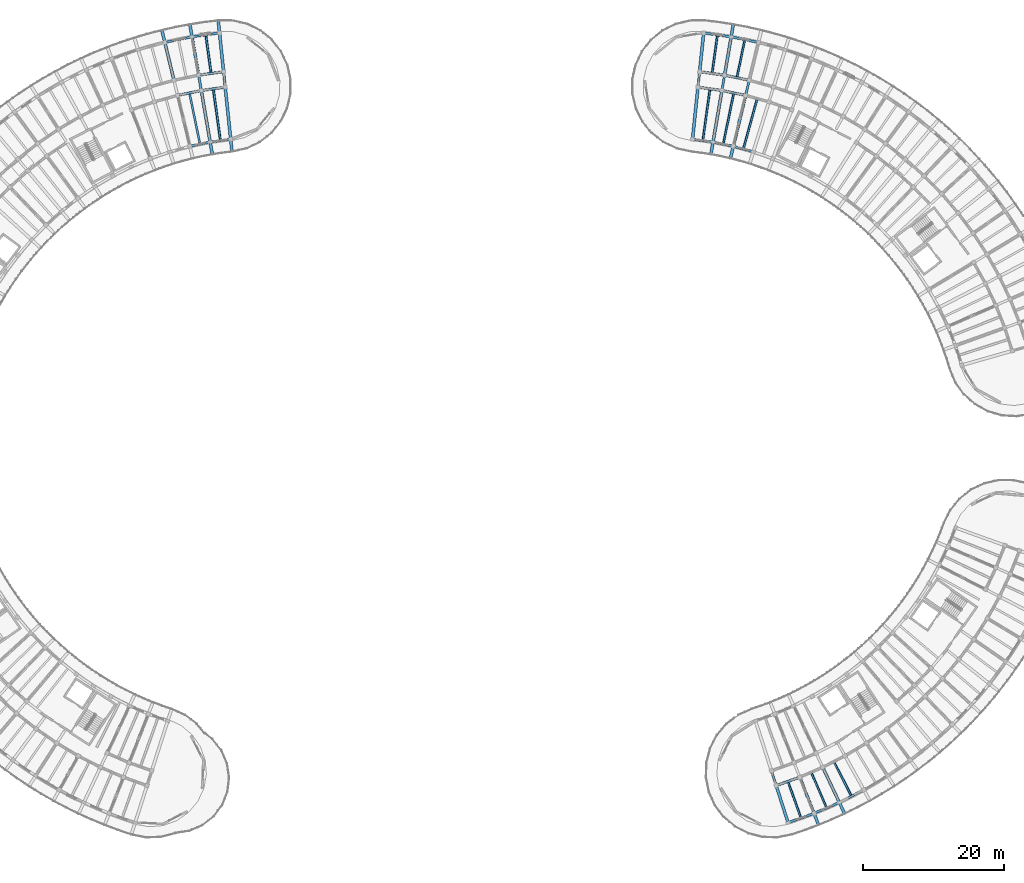
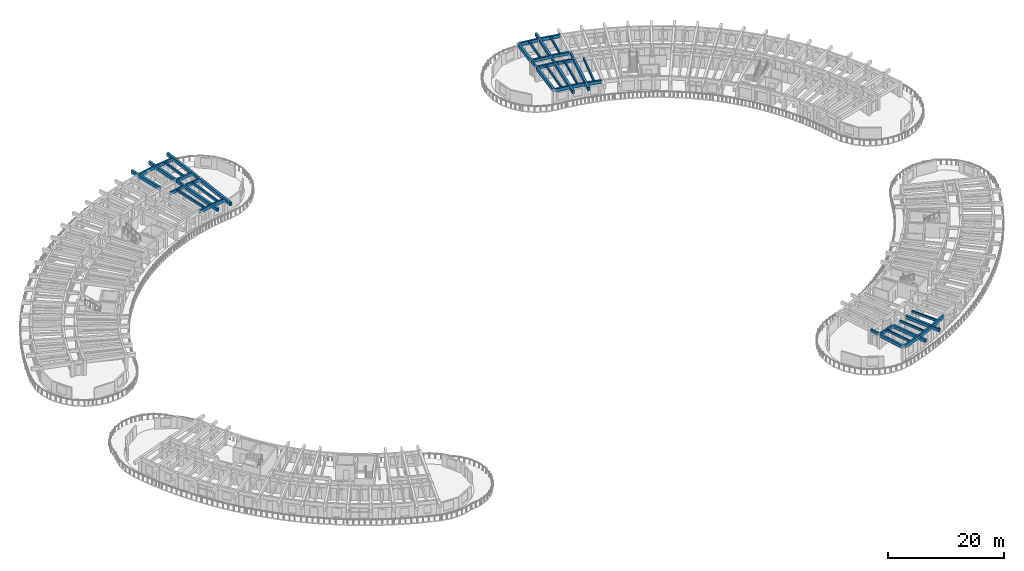
# One storey, part 15 of 78: 50 beams.
"""IFC4 building model written with IfcOpenShell, lengths in metres."""

from ifc_helpers import new_model, si_unit, direction, frame, origin, origin_2d, place, context, subcontext, project, spatial, rectangle, extrude, material, material_profile, profile_set, type_object, element, save


model = new_model("IFC4")

# Units and contexts
model_context = context("Model", 3, precision=1e-05, world=origin(), true_north=direction((0.0, 1.0)))
body_context = subcontext(model_context, "Body", "Model", "MODEL_VIEW")
ifc_project = project(units=[si_unit("LENGTHUNIT", "METRE"), si_unit("AREAUNIT", "SQUARE_METRE"), si_unit("VOLUMEUNIT", "CUBIC_METRE"), si_unit("PLANEANGLEUNIT", "RADIAN"), si_unit("MASSUNIT", "GRAM", prefix="KILO")], contexts=[model_context])

# Site, building, storey
site_placement = place(None, origin())
site = spatial("IfcSite", under=ifc_project, at=site_placement, CompositionType="ELEMENT")
building_placement = place(site_placement, origin())
building = spatial("IfcBuilding", under=site, at=building_placement, Name="Tanwirah Colonnade Gardens", CompositionType="ELEMENT")
storey_placement = place(building_placement, frame((0.0, 0.0, 22.280029296875)))
storey = spatial("IfcBuildingStorey", under=building, at=storey_placement, Name="L06", CompositionType="ELEMENT", Elevation=22.280029296875)

# Beams
ifc_material_1 = material(Name="Precast concrete C40/50", Category="concrete")
ifc_material_profile_1 = material_profile(ifc_material_1, rectangle(XDim=0.360107421875, YDim=0.610107421875, at=origin_2d()), Name="PC-BM 360x610")
ifc_profile_set_1 = profile_set([ifc_material_profile_1], Name="Precast concrete C40/50")
beam_type_1 = type_object("IfcBeamType", Name="BM-PC300", PredefinedType="BEAM", material=ifc_profile_set_1)
beam_1_placement = place(storey_placement, frame((137.619140625, 13.073486328125, 2.804931640625), z_axis=(0.941917534978, 0.335844245597, 0.0), x_axis=(-0.335844245597, 0.941917534978, 0.0)))
element("IfcBeam", 1, at=beam_1_placement, inside=storey, type_object=beam_type_1, Name="Block D L06 Circumferential Beam 1-R2", PredefinedType="BEAM", context=body_context, shape_type="SweptSolid", body=[
    extrude(rectangle(XDim=0.360107421875, YDim=0.610107421875, at=origin_2d()), origin(), (0.0, 0.0, 1.0), 3.237060546875),
])
ifc_material_profile_2 = material_profile(ifc_material_1, rectangle(XDim=0.320068359375, YDim=0.52001953125, at=origin_2d()), Name="PC-BM 320x520")
ifc_profile_set_2 = profile_set([ifc_material_profile_2], Name="Precast concrete C40/50")
beam_type_2 = type_object("IfcBeamType", Name="BM-PC320", PredefinedType="BEAM", material=ifc_profile_set_2)
for number, where, z_axis, x_axis, name in (
    (2, (133.188232421875, 110.75146484375, 2.849853515625), (0.234364199778, 0.972148868159, 0.0), (-0.972148868159, 0.234364199778, 0.0), "Block B L06 Corridor Tie Beam 16"),
    (3, (129.8310546875, 111.444580078125, 2.849853515625), (0.169855285462, 0.985469016256, 0.0), (-0.985469016256, 0.169855285462, 0.0), "Block B L06 Corridor Tie Beam 17"),
    (4, (126.435546875, 111.9150390625, 2.849853515625), (0.104464057197, 0.994528662611, 0.0), (-0.994528662611, 0.104464057197, 0.0), "Block B L06 Corridor Tie Beam 18"),
):
    element("IfcBeam", number, at=place(storey_placement, frame(where, z_axis=z_axis, x_axis=x_axis)), inside=storey, type_object=beam_type_2, Name=name, PredefinedType="BEAM", context=body_context, shape_type="SweptSolid", body=[
        extrude(rectangle(XDim=0.320068359375, YDim=0.52001953125, at=origin_2d()), origin(), (0.0, 0.0, 1.0), 1.900146484375),
    ])
beam_2_placement = place(storey_placement, frame((136.85302734375, 14.975341796875, 2.849853515625), z_axis=(0.304794376797, -0.952418179096, 0.0), x_axis=(0.952418179096, 0.304794376797, 0.0)))
element("IfcBeam", 5, at=beam_2_placement, inside=storey, type_object=beam_type_2, Name="Block D L06 Corridor Tie Beam 1", PredefinedType="BEAM", context=body_context, shape_type="SweptSolid", body=[
    extrude(rectangle(XDim=0.320068359375, YDim=0.52001953125, at=origin_2d()), origin(), (0.0, 0.0, 1.0), 1.89990234375),
])
ifc_material_profile_3 = material_profile(ifc_material_1, rectangle(XDim=0.35009765625, YDim=0.550048828125, at=origin_2d()), Name="PC-BM 350x550")
ifc_profile_set_3 = profile_set([ifc_material_profile_3], Name="Precast concrete C40/50")
beam_type_3 = type_object("IfcBeamType", Name="BM-PC350A", PredefinedType="BEAM", material=ifc_profile_set_3)
for number, where, z_axis, x_axis, name in (
    (6, (59.564453125, 111.9150390625, 2.8349609375), (-0.104464057197, 0.994528662611, 0.0), (-0.994528662611, -0.104464057197, 0.0), "Block A L06 Corridor Tie Beam 0"),
    (7, (56.1689453125, 111.444580078125, 2.8349609375), (-0.169855285462, 0.985469016256, 0.0), (-0.985469016256, -0.169855285462, 0.0), "Block A L06 Corridor Tie Beam 1"),
):
    element("IfcBeam", number, at=place(storey_placement, frame(where, z_axis=z_axis, x_axis=x_axis)), inside=storey, type_object=beam_type_3, Name=name, PredefinedType="BEAM", context=body_context, shape_type="SweptSolid", body=[
        extrude(rectangle(XDim=0.35009765625, YDim=0.550048828125, at=origin_2d()), origin(), (0.0, 0.0, 1.0), 1.900146484375),
    ])
ifc_material_profile_4 = material_profile(ifc_material_1, rectangle(XDim=0.35009765625, YDim=0.60009765625, at=origin_2d()), Name="PC-BM 350x600")
ifc_profile_set_4 = profile_set([ifc_material_profile_4], Name="Precast concrete C40/50")
beam_type_4 = type_object("IfcBeamType", Name="BM-PC350B", PredefinedType="BEAM", material=ifc_profile_set_4)
beam_3_placement = place(storey_placement, frame((59.431640625, 111.745361328125, 2.81005859375), z_axis=(-0.990535787723, -0.137254702069, 0.0), x_axis=(0.137254702069, -0.990535787723, 0.0)))
element("IfcBeam", 8, at=beam_3_placement, inside=storey, type_object=beam_type_4, Name="Block A L06 Circumferential Beam 0-R1", PredefinedType="BEAM", context=body_context, shape_type="SweptSolid", body=[
    extrude(rectangle(XDim=0.35009765625, YDim=0.60009765625, at=origin_2d()), origin(), (0.0, 0.0, 1.0), 3.1181640625),
])
beam_4_placement = place(storey_placement, frame((59.20166015625, 113.933349609375, 2.81005859375), z_axis=(-0.990530465749, -0.13729310406, 0.0), x_axis=(0.13729310406, -0.990530465749, 0.0)))
element("IfcBeam", 9, at=beam_4_placement, inside=storey, type_object=beam_type_4, Name="Block A L06 Circumferential Beam 0-R2", PredefinedType="BEAM", context=body_context, shape_type="SweptSolid", body=[
    extrude(rectangle(XDim=0.35009765625, YDim=0.60009765625, at=origin_2d()), origin(), (0.0, 0.0, 1.0), 3.26318359375),
])
for number, where, z_axis, x_axis, name in (
    (10, (56.047607421875, 111.2666015625, 2.81005859375), (-0.979335880607, -0.202240532428, 0.0), (0.202240532428, -0.979335880607, 0.0), "Block A L06 Circumferential Beam 1-R1"),
    (11, (133.006103515625, 110.635986328125, 2.81005859375), (-0.979335880607, 0.202240532428, 0.0), (-0.202240532428, -0.979335880607, 0.0), "Block B L06 Circumferential Beam 16-R1"),
):
    element("IfcBeam", number, at=place(storey_placement, frame(where, z_axis=z_axis, x_axis=x_axis)), inside=storey, type_object=beam_type_4, Name=name, PredefinedType="BEAM", context=body_context, shape_type="SweptSolid", body=[
        extrude(rectangle(XDim=0.35009765625, YDim=0.60009765625, at=origin_2d()), origin(), (0.0, 0.0, 1.0), 3.1181640625),
    ])
beam_5_placement = place(storey_placement, frame((133.521728515625, 112.774658203125, 2.81005859375), z_axis=(-0.979335599813, 0.202241892146, 0.0), x_axis=(-0.202241892146, -0.979335599813, 0.0)))
element("IfcBeam", 12, at=beam_5_placement, inside=storey, type_object=beam_type_4, Name="Block B L06 Circumferential Beam 16-R2", PredefinedType="BEAM", context=body_context, shape_type="SweptSolid", body=[
    extrude(rectangle(XDim=0.35009765625, YDim=0.60009765625, at=origin_2d()), origin(), (0.0, 0.0, 1.0), 3.262939453125),
])
beam_6_placement = place(storey_placement, frame((129.656982421875, 111.3173828125, 2.81005859375), z_axis=(-0.990535787723, 0.137254702069, 0.0), x_axis=(-0.137254702069, -0.990535787723, 0.0)))
element("IfcBeam", 13, at=beam_6_placement, inside=storey, type_object=beam_type_4, Name="Block B L06 Circumferential Beam 17-R1", PredefinedType="BEAM", context=body_context, shape_type="SweptSolid", body=[
    extrude(rectangle(XDim=0.35009765625, YDim=0.60009765625, at=origin_2d()), origin(), (0.0, 0.0, 1.0), 3.1181640625),
])
beam_7_placement = place(storey_placement, frame((130.030517578125, 113.4853515625, 2.81005859375), z_axis=(-0.990530465749, 0.13729310406, 0.0), x_axis=(-0.13729310406, -0.990530465749, 0.0)))
element("IfcBeam", 14, at=beam_7_placement, inside=storey, type_object=beam_type_4, Name="Block B L06 Circumferential Beam 17-R2", PredefinedType="BEAM", context=body_context, shape_type="SweptSolid", body=[
    extrude(rectangle(XDim=0.35009765625, YDim=0.60009765625, at=origin_2d()), origin(), (0.0, 0.0, 1.0), 3.26318359375),
])
ifc_material_2 = material(Name="Precast concrete C45/55", Category="concrete")
ifc_material_profile_5 = material_profile(ifc_material_2, rectangle(XDim=0.39990234375, YDim=0.64990234375, at=origin_2d()), Name="PC-BM 400x650")
ifc_profile_set_5 = profile_set([ifc_material_profile_5], Name="Precast concrete C45/55")
beam_type_5 = type_object("IfcBeamType", Name="BM-PC400", PredefinedType="BEAM", material=ifc_profile_set_5)
beam_8_placement = place(storey_placement, frame((137.523681640625, 12.880126953125, 2.784912109375), z_axis=(0.304852387649, -0.952399612424, 0.0), x_axis=(0.952399612424, 0.304852387649, 0.0)))
element("IfcBeam", 15, at=beam_8_placement, inside=storey, type_object=beam_type_5, Name="Block D L06 Outer Radial Precast Girder 1", PredefinedType="BEAM", context=body_context, shape_type="SweptSolid", body=[
    extrude(rectangle(XDim=0.39990234375, YDim=0.64990234375, at=origin_2d()), origin(), (0.0, 0.0, 1.0), 5.199951171875),
])
for number, where, z_axis, x_axis, name in (
    (16, (140.8642578125, 14.0712890625, 2.784912109375), (0.366525426804, -0.930408034953, 0.0), (0.930408034953, 0.366525426804, 0.0), "Block D L06 Outer Radial Precast Girder 2"),
    (17, (144.1201171875, 15.478515625, 2.784912109375), (0.426567365945, -0.904455793453, 0.0), (0.904455793453, 0.426567365945, 0.0), "Block D L06 Outer Radial Precast Girder 3"),
):
    element("IfcBeam", number, at=place(storey_placement, frame(where, z_axis=z_axis, x_axis=x_axis)), inside=storey, type_object=beam_type_5, Name=name, PredefinedType="BEAM", context=body_context, shape_type="SweptSolid", body=[
        extrude(rectangle(XDim=0.39990234375, YDim=0.64990234375, at=origin_2d()), origin(), (0.0, 0.0, 1.0), 7.050048828125),
    ])
ifc_material_profile_6 = material_profile(ifc_material_2, rectangle(XDim=0.419921875, YDim=0.679931640625, at=origin_2d()), Name="PC-BM 420x680")
ifc_profile_set_6 = profile_set([ifc_material_profile_6], Name="Precast concrete C45/55")
beam_type_6 = type_object("IfcBeamType", Name="BM-PC420", PredefinedType="BEAM", material=ifc_profile_set_6)
beam_9_placement = place(storey_placement, frame((59.595947265625, 111.61669921875, 2.77001953125), z_axis=(0.104531425475, -0.994521584023, 0.0), x_axis=(0.994521584023, 0.104531425475, 0.0)))
element("IfcBeam", 18, at=beam_9_placement, inside=storey, type_object=beam_type_6, Name="Block A L06 Inner Radial Precast Girder 0", PredefinedType="BEAM", context=body_context, shape_type="SweptSolid", body=[
    extrude(rectangle(XDim=0.419921875, YDim=0.679931640625, at=origin_2d()), origin(), (0.0, 0.0, 1.0), 8.949951171875),
])
beam_10_placement = place(storey_placement, frame((59.33447265625, 114.10302734375, 2.77001953125), z_axis=(-0.104511730475, 0.994523653913, 0.0), x_axis=(-0.994523653913, -0.104511730475, 0.0)))
element("IfcBeam", 19, at=beam_10_placement, inside=storey, type_object=beam_type_6, Name="Block A L06 Outer Radial Precast Girder 0", PredefinedType="BEAM", context=body_context, shape_type="SweptSolid", body=[
    extrude(rectangle(XDim=0.419921875, YDim=0.679931640625, at=origin_2d()), origin(), (0.0, 0.0, 1.0), 7.050048828125),
])
beam_11_placement = place(storey_placement, frame((56.219970703125, 111.14892578125, 2.77001953125), z_axis=(0.169837490725, -0.985472083189, 0.0), x_axis=(0.985472083189, 0.169837490725, 0.0)))
element("IfcBeam", 20, at=beam_11_placement, inside=storey, type_object=beam_type_6, Name="Block A L06 Inner Radial Precast Girder 1", PredefinedType="BEAM", context=body_context, shape_type="SweptSolid", body=[
    extrude(rectangle(XDim=0.419921875, YDim=0.679931640625, at=origin_2d()), origin(), (0.0, 0.0, 1.0), 8.949951171875),
])
for number, where, z_axis, x_axis, name in (
    (21, (55.79541015625, 113.61279296875, 2.77001953125), (-0.169826898404, 0.985473908624, 0.0), (-0.985473908624, -0.169826898404, 0.0), "Block A L06 Outer Radial Precast Girder 1"),
    (22, (52.296142578125, 112.89013671875, 2.77001953125), (-0.234378734126, 0.972145364125, 0.0), (-0.972145364125, -0.234378734126, 0.0), "Block A L06 Outer Radial Precast Girder 2"),
):
    element("IfcBeam", number, at=place(storey_placement, frame(where, z_axis=z_axis, x_axis=x_axis)), inside=storey, type_object=beam_type_6, Name=name, PredefinedType="BEAM", context=body_context, shape_type="SweptSolid", body=[
        extrude(rectangle(XDim=0.419921875, YDim=0.679931640625, at=origin_2d()), origin(), (0.0, 0.0, 1.0), 7.0498046875),
    ])
for number, where, z_axis, x_axis, name in (
    (23, (133.117919921875, 110.459716796875, 2.77001953125), (-0.234401428133, -0.972139892448, 0.0), (0.972139892448, -0.234401428133, 0.0), "Block B L06 Inner Radial Precast Girder 16"),
    (24, (129.780029296875, 111.14892578125, 2.77001953125), (-0.169837490725, -0.985472083189, 0.0), (0.985472083189, -0.169837490725, 0.0), "Block B L06 Inner Radial Precast Girder 17"),
):
    element("IfcBeam", number, at=place(storey_placement, frame(where, z_axis=z_axis, x_axis=x_axis)), inside=storey, type_object=beam_type_6, Name=name, PredefinedType="BEAM", context=body_context, shape_type="SweptSolid", body=[
        extrude(rectangle(XDim=0.419921875, YDim=0.679931640625, at=origin_2d()), origin(), (0.0, 0.0, 1.0), 8.949951171875),
    ])
beam_12_placement = place(storey_placement, frame((130.20458984375, 113.61279296875, 2.77001953125), z_axis=(0.169826898404, 0.985473908624, 0.0), x_axis=(-0.985473908624, 0.169826898404, 0.0)))
element("IfcBeam", 25, at=beam_12_placement, inside=storey, type_object=beam_type_6, Name="Block B L06 Outer Radial Precast Girder 17", PredefinedType="BEAM", context=body_context, shape_type="SweptSolid", body=[
    extrude(rectangle(XDim=0.419921875, YDim=0.679931640625, at=origin_2d()), origin(), (0.0, 0.0, 1.0), 7.0498046875),
])
beam_13_placement = place(storey_placement, frame((126.404052734375, 111.61669921875, 2.77001953125), z_axis=(-0.104534425586, -0.994521268685, 0.0), x_axis=(0.994521268685, -0.104534425586, 0.0)))
element("IfcBeam", 26, at=beam_13_placement, inside=storey, type_object=beam_type_6, Name="Block B L06 Inner Radial Precast Girder 18", PredefinedType="BEAM", context=body_context, shape_type="SweptSolid", body=[
    extrude(rectangle(XDim=0.419921875, YDim=0.679931640625, at=origin_2d()), origin(), (0.0, 0.0, 1.0), 7.099853515625),
])
beam_14_placement = place(storey_placement, frame((126.66552734375, 114.10302734375, 2.77001953125), z_axis=(0.104508820017, 0.994523959761, 0.0), x_axis=(-0.994523959761, 0.104508820017, 0.0)))
element("IfcBeam", 27, at=beam_14_placement, inside=storey, type_object=beam_type_6, Name="Block B L06 Outer Radial Precast Girder 18", PredefinedType="BEAM", context=body_context, shape_type="SweptSolid", body=[
    extrude(rectangle(XDim=0.419921875, YDim=0.679931640625, at=origin_2d()), origin(), (0.0, 0.0, 1.0), 5.2001953125),
])
ifc_material_profile_7 = material_profile(ifc_material_1, rectangle(XDim=0.2548828125, YDim=0.455078125, at=origin_2d()), Name="PC-JST 255x455")
ifc_profile_set_7 = profile_set([ifc_material_profile_7], Name="Precast concrete C40/50")
beam_type_7 = type_object("IfcBeamType", Name="JST-PC240", PredefinedType="JOIST", material=ifc_profile_set_7)
for number, where, z_axis, x_axis, name in (
    (28, (139.193603515625, 13.4765625, 2.882568359375), (0.335862957845, -0.941910862846, 0.0), (0.941910862846, 0.335862957845, 0.0), "Block D L06 Precast Floor Joist 1"),
    (29, (142.49169921875, 14.77587890625, 2.882568359375), (0.396746282, -0.917928312952, 0.0), (0.917928312952, 0.396746282, 0.0), "Block D L06 Precast Floor Joist 2"),
    (30, (145.697998046875, 16.287841796875, 2.882568359375), (0.455936851617, -0.890012127635, 0.0), (0.890012127635, 0.455936851617, 0.0), "Block D L06 Precast Floor Joist 3"),
):
    element("IfcBeam", number, at=place(storey_placement, frame(where, z_axis=z_axis, x_axis=x_axis)), inside=storey, type_object=beam_type_7, Name=name, PredefinedType="JOIST", context=body_context, shape_type="SweptSolid", body=[
        extrude(rectangle(XDim=0.2548828125, YDim=0.455078125, at=origin_2d()), origin(), (0.0, 0.0, 1.0), 5.260009765625),
    ])
ifc_material_profile_8 = material_profile(ifc_material_1, rectangle(XDim=0.260009765625, YDim=0.4599609375, at=origin_2d()), Name="PC-JST 260x460")
ifc_profile_set_8 = profile_set([ifc_material_profile_8], Name="Precast concrete C40/50")
beam_type_8 = type_object("IfcBeamType", Name="JST-PC260", PredefinedType="JOIST", material=ifc_profile_set_8)
beam_15_placement = place(storey_placement, frame((132.869140625, 103.16064453125, 2.8798828125), z_axis=(0.266307034535, 0.963888252526, 0.0), x_axis=(-0.963888252526, 0.266307034535, 0.0)))
element("IfcBeam", 31, at=beam_15_placement, inside=storey, type_object=beam_type_8, Name="Block B L06 Inner Precast Floor Joist 15", PredefinedType="JOIST", context=body_context, shape_type="SweptSolid", body=[
    extrude(rectangle(XDim=0.260009765625, YDim=0.4599609375, at=origin_2d()), origin(), (0.0, 0.0, 1.0), 7.159912109375),
])
beam_16_placement = place(storey_placement, frame((131.9541015625, 113.2509765625, 2.8798828125), z_axis=(0.202235688429, 0.979336880918, 0.0), x_axis=(-0.979336880918, 0.202235688429, 0.0)))
element("IfcBeam", 32, at=beam_16_placement, inside=storey, type_object=beam_type_8, Name="Block B L06 Precast Floor Joist 16", PredefinedType="JOIST", context=body_context, shape_type="SweptSolid", body=[
    extrude(rectangle(XDim=0.260009765625, YDim=0.4599609375, at=origin_2d()), origin(), (0.0, 0.0, 1.0), 5.259765625),
])
beam_17_placement = place(storey_placement, frame((130.012939453125, 103.84912109375, 2.8798828125), z_axis=(0.202197428816, 0.979344780851, 0.0), x_axis=(-0.979344780851, 0.202197428816, 0.0)))
element("IfcBeam", 33, at=beam_17_placement, inside=storey, type_object=beam_type_8, Name="Block B L06 Inner Precast Floor Joist 16", PredefinedType="JOIST", context=body_context, shape_type="SweptSolid", body=[
    extrude(rectangle(XDim=0.260009765625, YDim=0.4599609375, at=origin_2d()), origin(), (0.0, 0.0, 1.0), 7.16015625),
])
beam_18_placement = place(storey_placement, frame((128.43505859375, 113.857421875, 2.8798828125), z_axis=(0.137248344923, 0.990536668587, 0.0), x_axis=(-0.990536668587, 0.137248344923, 0.0)))
element("IfcBeam", 34, at=beam_18_placement, inside=storey, type_object=beam_type_8, Name="Block B L06 Precast Floor Joist 17", PredefinedType="JOIST", context=body_context, shape_type="SweptSolid", body=[
    extrude(rectangle(XDim=0.260009765625, YDim=0.4599609375, at=origin_2d()), origin(), (0.0, 0.0, 1.0), 5.260009765625),
])
beam_19_placement = place(storey_placement, frame((127.117431640625, 104.34814453125, 2.8798828125), z_axis=(0.137243132462, 0.99053739081, 0.0), x_axis=(-0.99053739081, 0.137243132462, 0.0)))
element("IfcBeam", 35, at=beam_19_placement, inside=storey, type_object=beam_type_8, Name="Block B L06 Inner Precast Floor Joist 17", PredefinedType="JOIST", context=body_context, shape_type="SweptSolid", body=[
    extrude(rectangle(XDim=0.260009765625, YDim=0.4599609375, at=origin_2d()), origin(), (0.0, 0.0, 1.0), 7.16015625),
])
ifc_material_profile_9 = material_profile(ifc_material_1, rectangle(XDim=0.280029296875, YDim=0.47998046875, at=origin_2d()), Name="PC-JST 280x480")
ifc_profile_set_9 = profile_set([ifc_material_profile_9], Name="Precast concrete C40/50")
beam_type_9 = type_object("IfcBeamType", Name="JST-PC280", PredefinedType="JOIST", material=ifc_profile_set_9)
beam_20_placement = place(storey_placement, frame((57.56494140625, 113.857421875, 2.869873046875), z_axis=(-0.137248344923, 0.990536668587, 0.0), x_axis=(-0.990536668587, -0.137248344923, 0.0)))
element("IfcBeam", 36, at=beam_20_placement, inside=storey, type_object=beam_type_9, Name="Block A L06 Precast Floor Joist 0", PredefinedType="JOIST", context=body_context, shape_type="SweptSolid", body=[
    extrude(rectangle(XDim=0.280029296875, YDim=0.47998046875, at=origin_2d()), origin(), (0.0, 0.0, 1.0), 5.260009765625),
])
for number, where, z_axis, x_axis, name in (
    (37, (58.882568359375, 104.34814453125, 2.869873046875), (-0.137243132462, 0.99053739081, 0.0), (-0.99053739081, -0.137243132462, 0.0), "Block A L06 Inner Precast Floor Joist 0"),
    (38, (55.987060546875, 103.84912109375, 2.869873046875), (-0.202197428816, 0.979344780851, 0.0), (-0.979344780851, -0.202197428816, 0.0), "Block A L06 Inner Precast Floor Joist 1"),
):
    element("IfcBeam", number, at=place(storey_placement, frame(where, z_axis=z_axis, x_axis=x_axis)), inside=storey, type_object=beam_type_9, Name=name, PredefinedType="JOIST", context=body_context, shape_type="SweptSolid", body=[
        extrude(rectangle(XDim=0.280029296875, YDim=0.47998046875, at=origin_2d()), origin(), (0.0, 0.0, 1.0), 7.16015625),
    ])
ifc_material_profile_10 = material_profile(ifc_material_1, rectangle(XDim=0.324951171875, YDim=0.68505859375, at=origin_2d()), Name="PC-SP 325x685")
ifc_profile_set_10 = profile_set([ifc_material_profile_10], Name="Precast concrete C40/50")
beam_type_10 = type_object("IfcBeamType", Name="SP-PC260", PredefinedType="SPANDREL", material=ifc_profile_set_10)
beam_21_placement = place(storey_placement, frame((139.2958984375, 7.835205078125, 2.767578125), z_axis=(0.941915315404, 0.335850470607, 0.0), x_axis=(-0.335850470607, 0.941915315404, 0.0)))
element("IfcBeam", 39, at=beam_21_placement, inside=storey, type_object=beam_type_10, Name="Block D L06 Circumferential Beam 1-R3", PredefinedType="SPANDREL", context=body_context, shape_type="SweptSolid", body=[
    extrude(rectangle(XDim=0.324951171875, YDim=0.68505859375, at=origin_2d()), origin(), (0.0, 0.0, 1.0), 3.596923828125),
])
for number, where, z_axis, x_axis, name in (
    (40, (142.962890625, 9.153076171875, 2.767578125), (0.917925861765, 0.396751953118, 0.0), (-0.396751953118, 0.917925861765, 0.0), "Block D L06 Circumferential Beam 2-R3"),
    (41, (146.53564453125, 10.7080078125, 2.767578125), (0.890013134589, 0.455934885985, 0.0), (-0.455934885985, 0.890013134589, 0.0), "Block D L06 Circumferential Beam 3-R3"),
):
    element("IfcBeam", number, at=place(storey_placement, frame(where, z_axis=z_axis, x_axis=x_axis)), inside=storey, type_object=beam_type_10, Name=name, PredefinedType="SPANDREL", context=body_context, shape_type="SweptSolid", body=[
        extrude(rectangle(XDim=0.324951171875, YDim=0.68505859375, at=origin_2d()), origin(), (0.0, 0.0, 1.0), 3.5966796875),
    ])
ifc_material_profile_11 = material_profile(ifc_material_1, rectangle(XDim=0.3349609375, YDim=0.695068359375, at=origin_2d()), Name="PC-SP 335x695")
ifc_profile_set_11 = profile_set([ifc_material_profile_11], Name="Precast concrete C40/50")
beam_type_11 = type_object("IfcBeamType", Name="SP-PC300", PredefinedType="SPANDREL", material=ifc_profile_set_11)
for number, where, z_axis, x_axis, name in (
    (42, (134.098388671875, 102.67138671875, 2.762451171875), (-0.96388669146, 0.266312684688, 0.0), (-0.266312684688, -0.96388669146, 0.0), "Block B L06 Circumferential Beam 15-R0"),
    (43, (131.271728515625, 103.442138671875, 2.762451171875), (-0.979351764611, 0.202163599974, 0.0), (-0.202163599974, -0.979351764611, 0.0), "Block B L06 Circumferential Beam 16-R0"),
):
    element("IfcBeam", number, at=place(storey_placement, frame(where, z_axis=z_axis, x_axis=x_axis)), inside=storey, type_object=beam_type_11, Name=name, PredefinedType="SPANDREL", context=body_context, shape_type="SweptSolid", body=[
        extrude(rectangle(XDim=0.3349609375, YDim=0.695068359375, at=origin_2d()), origin(), (0.0, 0.0, 1.0), 2.630126953125),
    ])
beam_22_placement = place(storey_placement, frame((134.810791015625, 118.121337890625, 2.762451171875), z_axis=(-0.979328544205, 0.202276055197, 0.0), x_axis=(-0.202276055197, -0.979328544205, 0.0)))
element("IfcBeam", 44, at=beam_22_placement, inside=storey, type_object=beam_type_11, Name="Block B L06 Circumferential Beam 16-R3", PredefinedType="SPANDREL", context=body_context, shape_type="SweptSolid", body=[
    extrude(rectangle(XDim=0.3349609375, YDim=0.695068359375, at=origin_2d()), origin(), (0.0, 0.0, 1.0), 3.625732421875),
])
beam_23_placement = place(storey_placement, frame((128.400146484375, 104.02490234375, 2.762451171875), z_axis=(-0.990531232354, 0.13728757311, 0.0), x_axis=(-0.13728757311, -0.990531232354, 0.0)))
element("IfcBeam", 45, at=beam_23_placement, inside=storey, type_object=beam_type_11, Name="Block B L06 Circumferential Beam 17-R0", PredefinedType="SPANDREL", context=body_context, shape_type="SweptSolid", body=[
    extrude(rectangle(XDim=0.3349609375, YDim=0.695068359375, at=origin_2d()), origin(), (0.0, 0.0, 1.0), 2.630126953125),
])
beam_24_placement = place(storey_placement, frame((130.964599609375, 118.905517578125, 2.762451171875), z_axis=(-0.990538603978, 0.137234376268, 0.0), x_axis=(-0.137234376268, -0.990538603978, 0.0)))
element("IfcBeam", 46, at=beam_24_placement, inside=storey, type_object=beam_type_11, Name="Block B L06 Circumferential Beam 17-R3", PredefinedType="SPANDREL", context=body_context, shape_type="SweptSolid", body=[
    extrude(rectangle(XDim=0.3349609375, YDim=0.695068359375, at=origin_2d()), origin(), (0.0, 0.0, 1.0), 3.625732421875),
])
ifc_material_profile_12 = material_profile(ifc_material_2, rectangle(XDim=0.320068359375, YDim=0.679931640625, at=origin_2d()), Name="PC-SP 320x680")
ifc_profile_set_12 = profile_set([ifc_material_profile_12], Name="Precast concrete C45/55")
beam_type_12 = type_object("IfcBeamType", Name="SP-PC320", PredefinedType="SPANDREL", material=ifc_profile_set_12)
beam_25_placement = place(storey_placement, frame((60.205078125, 104.385986328125, 2.77001953125), z_axis=(-0.990531232354, -0.13728757311, 0.0), x_axis=(0.13728757311, -0.990531232354, 0.0)))
element("IfcBeam", 47, at=beam_25_placement, inside=storey, type_object=beam_type_12, Name="Block A L06 Circumferential Beam 0-R0", PredefinedType="SPANDREL", context=body_context, shape_type="SweptSolid", body=[
    extrude(rectangle(XDim=0.320068359375, YDim=0.679931640625, at=origin_2d()), origin(), (0.0, 0.0, 1.0), 2.630126953125),
])
beam_26_placement = place(storey_placement, frame((58.626708984375, 119.403076171875, 2.77001953125), z_axis=(-0.990538603978, -0.137234376268, 0.0), x_axis=(0.137234376268, -0.990538603978, 0.0)))
element("IfcBeam", 48, at=beam_26_placement, inside=storey, type_object=beam_type_12, Name="Block A L06 Circumferential Beam 0-R3", PredefinedType="SPANDREL", context=body_context, shape_type="SweptSolid", body=[
    extrude(rectangle(XDim=0.320068359375, YDim=0.679931640625, at=origin_2d()), origin(), (0.0, 0.0, 1.0), 3.625732421875),
])
beam_27_placement = place(storey_placement, frame((57.30419921875, 103.973876953125, 2.77001953125), z_axis=(-0.979351764611, -0.202163599974, 0.0), x_axis=(0.202163599974, -0.979351764611, 0.0)))
element("IfcBeam", 49, at=beam_27_placement, inside=storey, type_object=beam_type_12, Name="Block A L06 Circumferential Beam 1-R0", PredefinedType="SPANDREL", context=body_context, shape_type="SweptSolid", body=[
    extrude(rectangle(XDim=0.320068359375, YDim=0.679931640625, at=origin_2d()), origin(), (0.0, 0.0, 1.0), 2.630126953125),
])
beam_28_placement = place(storey_placement, frame((54.739990234375, 118.854736328125, 2.77001953125), z_axis=(-0.979328544205, -0.202276055197, 0.0), x_axis=(0.202276055197, -0.979328544205, 0.0)))
element("IfcBeam", 50, at=beam_28_placement, inside=storey, type_object=beam_type_12, Name="Block A L06 Circumferential Beam 1-R3", PredefinedType="SPANDREL", context=body_context, shape_type="SweptSolid", body=[
    extrude(rectangle(XDim=0.320068359375, YDim=0.679931640625, at=origin_2d()), origin(), (0.0, 0.0, 1.0), 3.625732421875),
])

save(model, "model.ifc")
